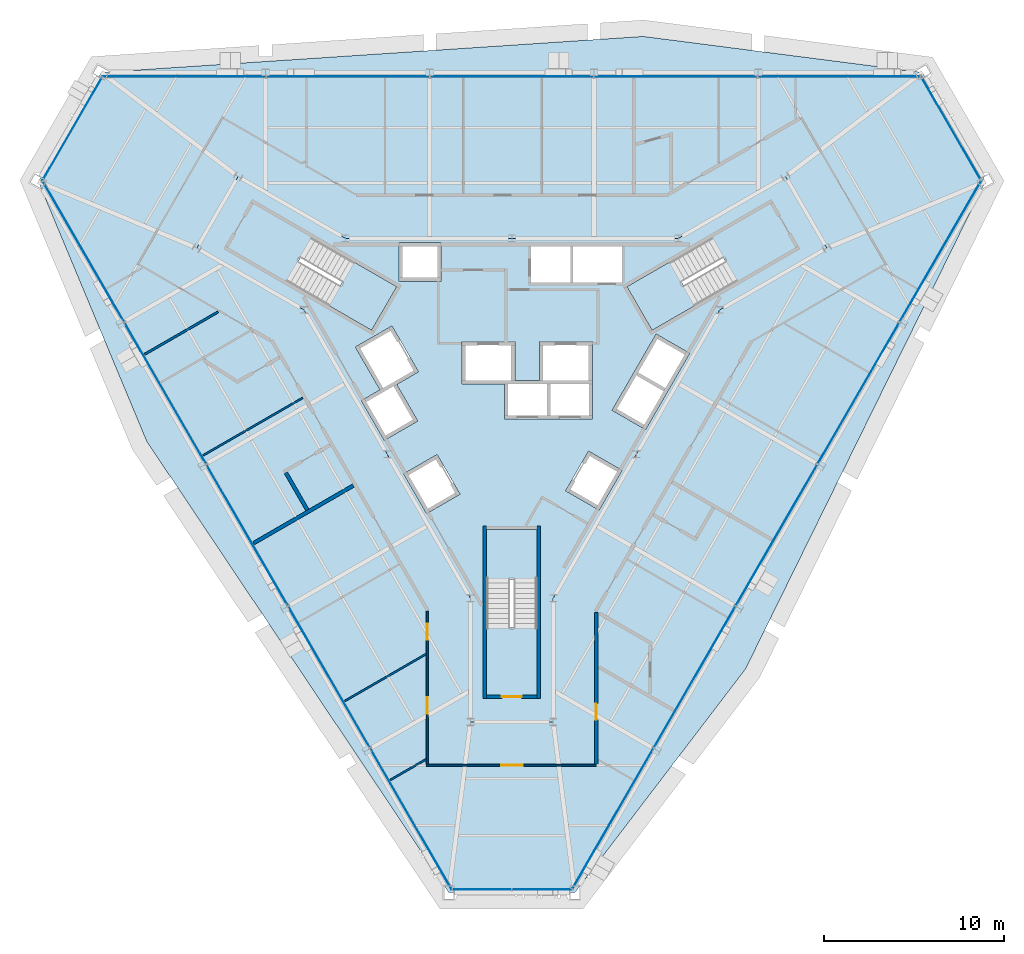
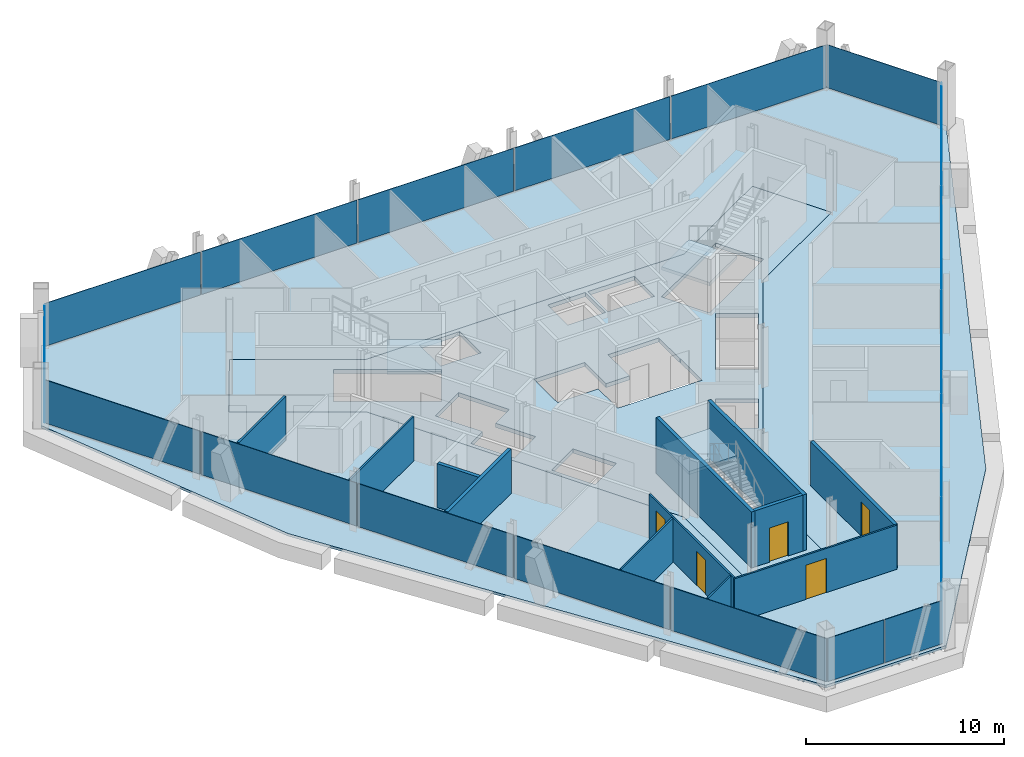
# One storey, part 9 of 15: 19 plates, 12 walls, 5 doors, 5 slabs, 5 openings, 9 elements without a shape of their own.
"""IFC4 building model written with IfcOpenShell, lengths in metres."""

import ifcopenshell
import ifcopenshell.guid

model = None  # the IFC model being written
_history = None  # IfcOwnerHistory: only IFC2X3 demands one
_inside = {}  # id of a spatial element -> (the spatial element, [elements in it])
_under = {}  # id of a project, library or spatial element -> (it, [spatial elements below it])
_declared = {}  # id of a project -> (the project, [libraries it declares])
_typed = {}  # id of a type object -> (the type object, [elements of that type])
_made_of = {}  # id of a material, layer set ... -> (it, [elements and type objects made of it])


def new_model(schema):
    """Start an empty IFC model of exactly this schema.

    Asked for "IFC4X3", IfcOpenShell would pick the latest addendum, in which some entities
    have other attributes; the version numbers below select the first issue.
    IFC2X3 requires an IfcOwnerHistory on every rooted entity: one is made here for all.
    """
    global model, _history
    if schema == "IFC4X3":
        model = ifcopenshell.file(schema_version=(4, 3, 0, 0))
    else:
        model = ifcopenshell.file(schema=schema)
    _inside.clear()
    _under.clear()
    _declared.clear()
    _typed.clear()
    _made_of.clear()
    _history = None
    if model.schema == "IFC2X3":
        org = make("IfcOrganization", Name="unknown")
        user = make(
            "IfcPersonAndOrganization",
            ThePerson=make("IfcPerson", FamilyName="unknown"),
            TheOrganization=org,
        )
        app = make(
            "IfcApplication",
            ApplicationDeveloper=org,
            Version="unknown",
            ApplicationFullName="unknown",
            ApplicationIdentifier="unknown",
        )
        _history = make(
            "IfcOwnerHistory",
            OwningUser=user,
            OwningApplication=app,
            ChangeAction="ADDED",
            CreationDate=0,
        )
    return model


def make(cls, **values):
    """One entity of the class cls with the attributes given. An attribute that is None is left unset."""
    return model.create_entity(
        cls, **{name: value for name, value in values.items() if value is not None}
    )


def rooted(cls, **values):
    """An entity with a GlobalId (a new one), such as an element, a storey or a relation."""
    return make(cls, GlobalId=ifcopenshell.guid.new(), OwnerHistory=_history, **values)


def si_unit(unit_type, name, prefix=None):
    """IfcSIUnit, for example si_unit("LENGTHUNIT", "METRE", prefix="MILLI")."""
    return make("IfcSIUnit", UnitType=unit_type, Prefix=prefix, Name=name)


def assignment(units):
    """IfcUnitAssignment: the units of a project."""
    return None if units is None else make("IfcUnitAssignment", Units=units)


def point(xyz):
    """IfcCartesianPoint."""
    return None if xyz is None else make("IfcCartesianPoint", Coordinates=xyz)


def direction(xyz):
    """IfcDirection."""
    return None if xyz is None else make("IfcDirection", DirectionRatios=xyz)


def frame(location, z_axis=None, x_axis=None):
    """IfcAxis2Placement3D, a coordinate frame: its origin and axes. An axis left out is left unset."""
    return make(
        "IfcAxis2Placement3D",
        Location=point(location),
        Axis=direction(z_axis),
        RefDirection=direction(x_axis),
    )


def frame_2d(location, x_axis=None):
    """IfcAxis2Placement2D, a coordinate frame in the plane: its origin and x axis."""
    return make(
        "IfcAxis2Placement2D", Location=point(location), RefDirection=direction(x_axis)
    )


def origin():
    """The frame at (0, 0, 0) with its axes left unset."""
    return frame((0.0, 0.0, 0.0))


def origin_2d():
    """The frame at (0, 0) in the plane with its x axis left unset."""
    return frame_2d((0.0, 0.0))


def place(relative_to, where):
    """IfcLocalPlacement: puts the frame where relative to a parent placement (None: the world)."""
    return make(
        "IfcLocalPlacement", PlacementRelTo=relative_to, RelativePlacement=where
    )


def context(
    kind, dimensions, precision=None, world=None, true_north=None, identifier=None
):
    """IfcGeometricRepresentationContext, for example the 3D "Model" context."""
    return make(
        "IfcGeometricRepresentationContext",
        ContextIdentifier=identifier,
        ContextType=kind,
        CoordinateSpaceDimension=dimensions,
        Precision=precision,
        WorldCoordinateSystem=world,
        TrueNorth=true_north,
    )


def subcontext(parent, identifier, kind, view, scale=None):
    """IfcGeometricRepresentationSubContext, for example "Body" below "Model"."""
    return make(
        "IfcGeometricRepresentationSubContext",
        ContextIdentifier=identifier,
        ContextType=kind,
        ParentContext=parent,
        TargetScale=scale,
        TargetView=view,
    )


def project(units=None, contexts=None):
    """IfcProject with its units and contexts."""
    return rooted(
        "IfcProject",
        Name="project",
        RepresentationContexts=contexts,
        UnitsInContext=assignment(units),
    )


def spatial(cls, under=None, at=None, **own):
    """A site, building, storey or space (cls), placed at a placement, below another one or the project."""
    s = rooted(cls, ObjectPlacement=at, **own)
    if under is not None:
        _under.setdefault(under.id(), (under, []))[1].append(s)
    return s


def polyline(points):
    """IfcPolyline through the points."""
    return make("IfcPolyline", Points=[point(p) for p in points])


def profile(cls, at=None, kind="AREA", **sizes):
    """A parametric profile (cls). Its sizes go by their IFC names, for example OverallWidth=200.0."""
    return make(cls, ProfileType=kind, Position=at, **sizes)


def rectangle(**sizes):
    """IfcRectangleProfileDef."""
    return profile("IfcRectangleProfileDef", **sizes)


def outline(outer, holes=None, kind="AREA"):
    """IfcArbitraryClosedProfileDef: a profile drawn as a closed curve; with holes, ...WithVoids."""
    if holes is None:
        return make("IfcArbitraryClosedProfileDef", ProfileType=kind, OuterCurve=outer)
    return make(
        "IfcArbitraryProfileDefWithVoids",
        ProfileType=kind,
        OuterCurve=outer,
        InnerCurves=holes,
    )


def extrude(swept, where, along, depth):
    """IfcExtrudedAreaSolid: the profile swept, set in the frame where, extruded along a direction by depth."""
    return make(
        "IfcExtrudedAreaSolid",
        SweptArea=swept,
        Position=where,
        ExtrudedDirection=direction(along),
        Depth=depth,
    )


def shape(context_of_items, identifier, shape_type, items):
    """IfcShapeRepresentation: the items that make up one representation, for example the "Body"."""
    return make(
        "IfcShapeRepresentation",
        ContextOfItems=context_of_items,
        RepresentationIdentifier=identifier,
        RepresentationType=shape_type,
        Items=items,
    )


def material(Name=None, Category=None):
    """IfcMaterial."""
    return make("IfcMaterial", Name=Name, Category=Category)


def layer(
    of_material, thickness, ventilated=None, Name=None, Category=None, Priority=None
):
    """IfcMaterialLayer: one layer of a wall or slab, of a material (None: an air gap)."""
    return make(
        "IfcMaterialLayer",
        Material=of_material,
        LayerThickness=thickness,
        IsVentilated=ventilated,
        Name=Name,
        Category=Category,
        Priority=Priority,
    )


def layer_set(layers, Name=None):
    """IfcMaterialLayerSet."""
    return make("IfcMaterialLayerSet", MaterialLayers=layers, LayerSetName=Name)


def made_of(thing, what):
    """Note that an element or type object is made of a material, layer set ...; save() writes the relation."""
    if what is not None:
        _made_of.setdefault(what.id(), (what, []))[1].append(thing)
    return thing


def type_object(cls, material=None, **own):
    """A type object (cls), such as IfcWallType, which elements share."""
    return made_of(rooted(cls, **own), material)


def element(
    cls,
    number,
    at=None,
    inside=None,
    cuts=None,
    type_object=None,
    material=None,
    context=None,
    identifier="Body",
    shape_type=None,
    held_by="IfcProductDefinitionShape",
    body=None,
    shapes=None,
    **own,
):
    """One element of the class cls, such as IfcWall. Its Tag is "e" and its number.

    at: its placement. inside: the storey or other place that contains it. cuts: it is an
    opening in that element (IfcRelVoidsElement). A single representation is given by context,
    identifier, shape_type and body (its items); several are given by shapes. held_by: the class
    of the entity that holds the representations. save() writes the other relations.
    """
    e = rooted(cls, Tag="e%d" % number, ObjectPlacement=at, **own)
    if body is not None:
        shapes = [shape(context, identifier, shape_type, body)]
    if shapes is not None:
        e.Representation = make(held_by, Representations=shapes)
    if inside is not None:
        _inside.setdefault(inside.id(), (inside, []))[1].append(e)
    if cuts is not None:
        rooted(
            "IfcRelVoidsElement", RelatingBuildingElement=cuts, RelatedOpeningElement=e
        )
    if type_object is not None:
        _typed.setdefault(type_object.id(), (type_object, []))[1].append(e)
    return made_of(e, material)


def fill(opening, filler):
    """IfcRelFillsElement: the door or window that sits in an opening."""
    return rooted(
        "IfcRelFillsElement",
        RelatingOpeningElement=opening,
        RelatedBuildingElement=filler,
    )


def aggregate(whole, parts):
    """IfcRelAggregates: a whole, such as a stair, and the parts it consists of."""
    return rooted("IfcRelAggregates", RelatingObject=whole, RelatedObjects=parts)


def save(model, path):
    """Write the relations noted so far, then the file.

    IfcRelAggregates (storeys below a building ...), IfcRelContainedInSpatialStructure (elements
    in a storey), IfcRelDefinesByType, IfcRelAssociatesMaterial and IfcRelDeclares: one each for
    every whole, place, type object, material and project.
    """
    for whole, parts in _under.values():
        aggregate(whole, parts)
    for where, things in _inside.values():
        rooted(
            "IfcRelContainedInSpatialStructure",
            RelatedElements=things,
            RelatingStructure=where,
        )
    for kind, things in _typed.values():
        rooted("IfcRelDefinesByType", RelatedObjects=things, RelatingType=kind)
    for what, things in _made_of.values():
        rooted("IfcRelAssociatesMaterial", RelatedObjects=things, RelatingMaterial=what)
    for by, libraries in _declared.values():
        rooted("IfcRelDeclares", RelatingContext=by, RelatedDefinitions=libraries)
    model.write(path)


model = new_model("IFC4")

# Units and contexts
model_context = context("Model", 3, precision=1e-05, world=origin(), true_north=direction((0.0, 1.0)))
body_context = subcontext(model_context, "Body", "Model", "MODEL_VIEW")
ifc_project = project(units=[si_unit("LENGTHUNIT", "METRE"), si_unit("AREAUNIT", "SQUARE_METRE"), si_unit("VOLUMEUNIT", "CUBIC_METRE"), si_unit("PLANEANGLEUNIT", "RADIAN"), si_unit("MASSUNIT", "GRAM", prefix="KILO")], contexts=[model_context])

# Site, building, storey
site_placement = place(None, origin())
site = spatial("IfcSite", under=ifc_project, at=site_placement, CompositionType="ELEMENT")
building_placement = place(site_placement, origin())
building = spatial("IfcBuilding", under=site, at=building_placement, Name="Verrane Prism Tower", CompositionType="ELEMENT")
storey_placement = place(building_placement, frame((0.0, 0.0, 250.800048828125)))
storey = spatial("IfcBuildingStorey", under=building, at=storey_placement, Name="L63", CompositionType="ELEMENT", Elevation=250.800048828125)

# Slabs
ifc_material_1 = material(Name="Concrete C35/45", Category="concrete")
ifc_layer_1 = layer(ifc_material_1, 0.159912109375)
ifc_layer_set_1 = layer_set([ifc_layer_1], Name="Composite floor slab")
slab_type_1 = type_object("IfcSlabType", Name="Composite floor slab", PredefinedType="FLOOR", material=ifc_layer_set_1)
slab_1_placement = place(storey_placement, frame((0.0, 0.0, -0.16015625)))
element("IfcSlab", 1, at=slab_1_placement, inside=storey, type_object=slab_type_1, Name="Floor slab L63", PredefinedType="FLOOR", context=body_context, shape_type="SweptSolid", body=[
    extrude(outline(polyline([(12.999755859375, -15.94384765625), (3.5029296875, -28.392578125), (-3.5029296875, -28.392578125), (-20.3076171875, -3.2861328125), (-26.340087890625, 11.16259765625), (-22.837158203125, 17.22998046875), (7.307861328125, 19.22998046875), (22.837158203125, 17.22998046875), (26.340087890625, 11.16259765625), (12.999755859375, -15.94384765625)]), holes=[polyline([(17.52001953125, 7.4599609375), (15.219970703125, 11.43994140625), (9.260009765625, 8.0), (0.0, 8.0), (-9.260009765625, 8.0), (-15.219970703125, 11.43994140625), (-17.52001953125, 7.4599609375), (-11.56005859375, 4.02001953125), (-6.929931640625, -4.0), (-2.300048828125, -12.02001953125), (-2.300048828125, -18.89990234375), (2.300048828125, -18.89990234375), (2.300048828125, -12.02001953125), (6.929931640625, -4.0), (11.56005859375, 4.02001953125), (17.52001953125, 7.4599609375)])]), origin(), (0.0, 0.0, 1.0), 0.16015625),
])
ifc_material_2 = material(Name="Concrete C40/50", Category="concrete")
ifc_layer_2 = layer(ifc_material_2, 0.25)
ifc_layer_set_2 = layer_set([ifc_layer_2], Name="Core floor slab 250 concrete C40/50")
slab_type_2 = type_object("IfcSlabType", Name="Core floor slab 250 concrete C40/50", PredefinedType="FLOOR", material=ifc_layer_set_2)
slab_2_placement = place(storey_placement, frame((0.0, 0.0, -0.25)))
element("IfcSlab", 2, at=slab_2_placement, inside=storey, type_object=slab_type_2, Name="Core floor L63", PredefinedType="FLOOR", context=body_context, shape_type="SweptSolid", body=[
    extrude(outline(polyline([(11.56005859375, 4.02001953125), (17.52001953125, 7.4599609375), (15.219970703125, 11.43994140625), (9.260009765625, 8.0), (0.0, 8.0), (-9.260009765625, 8.0), (-15.219970703125, 11.43994140625), (-17.52001953125, 7.4599609375), (-11.56005859375, 4.02001953125), (-6.929931640625, -4.0), (-2.300048828125, -12.02001953125), (-2.300048828125, -18.89990234375), (2.300048828125, -18.89990234375), (2.300048828125, -12.02001953125), (6.929931640625, -4.0), (11.56005859375, 4.02001953125)]), holes=[polyline([(1.39990234375, -8.199951171875), (1.39990234375, -13.639892578125), (-1.39990234375, -13.639892578125), (-1.39990234375, -8.199951171875), (1.39990234375, -8.199951171875)]), polyline([(-2.881103515625, -6.22998046875), (-4.742919921875, -7.304931640625), (-6.01806640625, -5.096923828125), (-4.156005859375, -4.02197265625), (-2.881103515625, -6.22998046875)]), polyline([(-7.801025390625, 2.887939453125), (-12.512939453125, 5.60791015625), (-11.113037109375, 8.031982421875), (-6.40087890625, 5.31201171875), (-7.801025390625, 2.887939453125)]), polyline([(-6.284912109375, 5.610107421875), (-6.284912109375, 7.760009765625), (-3.93505859375, 7.760009765625), (-3.93505859375, 5.610107421875), (-6.284912109375, 5.610107421875)]), polyline([(4.26611328125, -3.8310546875), (6.1279296875, -4.906005859375), (4.85302734375, -7.114990234375), (2.990966796875, -6.0400390625), (4.26611328125, -3.8310546875)]), polyline([(7.43798828125, -2.636962890625), (5.575927734375, -1.56201171875), (8.02587890625, 2.680908203125), (9.887939453125, 1.60595703125), (7.43798828125, -2.636962890625)]), polyline([(0.1650390625, 0.10009765625), (1.52490234375, 0.10009765625), (1.52490234375, 2.25), (4.47509765625, 2.25), (4.47509765625, 0.10009765625), (4.4951171875, 0.10009765625), (4.4951171875, -2.050048828125), (-0.405029296875, -2.050048828125), (-0.405029296875, -0.10009765625), (-2.784912109375, -0.10009765625), (-2.784912109375, 2.25), (0.1650390625, 2.25), (0.1650390625, 0.10009765625)]), polyline([(6.40087890625, 5.31201171875), (11.113037109375, 8.031982421875), (12.512939453125, 5.60791015625), (7.801025390625, 2.887939453125), (6.40087890625, 5.31201171875)]), polyline([(1.074951171875, 5.534912109375), (1.074951171875, 7.56005859375), (3.264892578125, 7.56005859375), (3.264892578125, 5.534912109375), (1.074951171875, 5.534912109375)]), polyline([(3.4150390625, 7.56005859375), (6.125, 7.56005859375), (6.125, 5.534912109375), (3.4150390625, 5.534912109375), (3.4150390625, 7.56005859375)]), polyline([(-5.23095703125, -2.159912109375), (-7.093017578125, -3.235107421875), (-8.367919921875, -1.02587890625), (-7.3291015625, -0.426025390625), (-8.7041015625, 1.955078125), (-6.66796875, 3.1298828125), (-5.193115234375, 0.574951171875), (-6.406005859375, -0.125), (-5.23095703125, -2.159912109375)])]), origin(), (0.0, 0.0, 1.0), 0.25),
])

# Curtain wall, plates
ifc_material_3 = material(Name="Aluminium framed insulated glazing", Category="aluminium")
curtain_wall_type_1 = type_object("IfcCurtainWallType", Name="Curtain wall CW-C 4200 module", PredefinedType="NOTDEFINED", material=ifc_material_3)
curtain_wall_1_placement = place(storey_placement, origin())
curtain_wall_1 = element("IfcCurtainWall", 3, at=curtain_wall_1_placement, inside=storey, type_object=curtain_wall_type_1, Name="Glazed curtain wall south corner L63", PredefinedType="NOTDEFINED")
ifc_material_4 = material(Name="Low-iron insulating glass unit", Category="glass")
ifc_layer_3 = layer(ifc_material_4, 0.02392578125)
ifc_layer_set_3 = layer_set([ifc_layer_3], Name="Glazing panel IGU 24")
plate_type_1 = type_object("IfcPlateType", Name="Glazing panel IGU 24", PredefinedType="CURTAIN_PANEL", material=ifc_layer_set_3)
plate_1_placement = place(storey_placement, frame((-1.658447265625, -28.215087890625, 0.0498046875), z_axis=(0.0, 0.0, 1.0), x_axis=(1.0, 0.0, 0.0)))
plate_1 = element("IfcPlate", 4, at=plate_1_placement, type_object=plate_type_1, Name="CW62.5 panel 1", PredefinedType="CURTAIN_PANEL", context=body_context, shape_type="SweptSolid", body=[
    extrude(rectangle(XDim=3.266845703125, YDim=0.02392578125, at=origin_2d()), origin(), (0.0, 0.0, 1.0), 2.662841796875),
])
plate_2_placement = place(storey_placement, frame((1.683349609375, -28.215087890625, 0.0498046875), z_axis=(0.0, 0.0, 1.0), x_axis=(1.0, 0.0, 0.0)))
plate_2 = element("IfcPlate", 5, at=plate_2_placement, type_object=plate_type_1, Name="CW62.5 panel 2", PredefinedType="CURTAIN_PANEL", context=body_context, shape_type="SweptSolid", body=[
    extrude(rectangle(XDim=3.31689453125, YDim=0.02392578125, at=origin_2d()), origin(), (0.0, 0.0, 1.0), 2.662841796875),
])
aggregate(curtain_wall_1, [plate_1, plate_2])

# Curtain wall, plate
ifc_material_5 = material(Name="Aluminium framed insulated glazing", Category="aluminium")
curtain_wall_type_2 = type_object("IfcCurtainWallType", Name="Curtain wall CW-B 5600 module", PredefinedType="NOTDEFINED", material=ifc_material_5)
curtain_wall_2_placement = place(storey_placement, origin())
curtain_wall_2 = element("IfcCurtainWall", 6, at=curtain_wall_2_placement, inside=storey, type_object=curtain_wall_type_2, Name="Glazed curtain wall north-west corner L63", PredefinedType="NOTDEFINED")
ifc_material_6 = material(Name="Low-iron insulating glass unit", Category="glass")
ifc_layer_4 = layer(ifc_material_6, 0.028076171875)
ifc_layer_set_4 = layer_set([ifc_layer_4], Name="Glazing panel IGU 28")
plate_type_2 = type_object("IfcPlateType", Name="Glazing panel IGU 28", PredefinedType="CURTAIN_PANEL", material=ifc_layer_set_4)
plate_3_placement = place(storey_placement, frame((-24.449951171875, 14.08154296875, 0.06005859375), z_axis=(0.0, 0.0, 1.0), x_axis=(-0.49999615137, -0.866027625781, 0.0)))
plate_3 = element("IfcPlate", 7, at=plate_3_placement, type_object=plate_type_2, Name="CW62.3 panel 1", PredefinedType="CURTAIN_PANEL", context=body_context, shape_type="SweptSolid", body=[
    extrude(rectangle(XDim=6.623779296875, YDim=0.028076171875, at=origin_2d()), origin(), (0.0, 0.0, 1.0), 2.65283203125),
])
aggregate(curtain_wall_2, [plate_3])

ifc_material_7 = material(Name="Aluminium framed insulated glazing", Category="aluminium")
curtain_wall_type_3 = type_object("IfcCurtainWallType", Name="Curtain wall CW-A 8400 module", PredefinedType="NOTDEFINED", material=ifc_material_7)
curtain_wall_3_placement = place(storey_placement, origin())
curtain_wall_3 = element("IfcCurtainWall", 8, at=curtain_wall_3_placement, inside=storey, type_object=curtain_wall_type_3, Name="Glazed curtain wall north-east corner L63", PredefinedType="NOTDEFINED")
ifc_material_8 = material(Name="Low-iron insulating glass unit", Category="glass")
ifc_layer_5 = layer(ifc_material_8, 0.031982421875)
ifc_layer_set_5 = layer_set([ifc_layer_5], Name="Glazing panel IGU 32")
plate_type_3 = type_object("IfcPlateType", Name="Glazing panel IGU 32", PredefinedType="CURTAIN_PANEL", material=ifc_layer_set_5)
plate_4_placement = place(storey_placement, frame((24.41748046875, 14.137939453125, 0.06982421875), z_axis=(0.0, 0.0, 1.0), x_axis=(-0.49999615137, 0.866027625781, 0.0)))
plate_4 = element("IfcPlate", 9, at=plate_4_placement, type_object=plate_type_3, Name="CW62.1 panel 1", PredefinedType="CURTAIN_PANEL", context=body_context, shape_type="SweptSolid", body=[
    extrude(rectangle(XDim=6.61376953125, YDim=0.031982421875, at=origin_2d()), origin(), (0.0, 0.0, 1.0), 2.642822265625),
])
aggregate(curtain_wall_3, [plate_4])

# Curtain wall, plates
curtain_wall_4_placement = place(storey_placement, origin())
curtain_wall_4 = element("IfcCurtainWall", 10, at=curtain_wall_4_placement, inside=storey, type_object=curtain_wall_type_3, Name="Glazed curtain wall north face L63", PredefinedType="NOTDEFINED")
plate_5_placement = place(storey_placement, frame((18.19384765625, 17.001708984375, 0.06982421875), z_axis=(0.0, 0.0, 1.0), x_axis=(-1.0, 0.0, 0.0)))
plate_5 = element("IfcPlate", 11, at=plate_5_placement, type_object=plate_type_3, Name="CW62.2 panel 1", PredefinedType="CURTAIN_PANEL", context=body_context, shape_type="SweptSolid", body=[
    extrude(rectangle(XDim=9.000732421875, YDim=0.031982421875, at=origin_2d()), origin(), (0.0, 0.0, 1.0), 2.642822265625),
])
plate_6_placement = place(storey_placement, frame((9.105712890625, 17.001708984375, 0.06982421875), z_axis=(0.0, 0.0, 1.0), x_axis=(-1.0, 0.0, 0.0)))
plate_6 = element("IfcPlate", 12, at=plate_6_placement, type_object=plate_type_3, Name="CW62.2 panel 2", PredefinedType="CURTAIN_PANEL", context=body_context, shape_type="SweptSolid", body=[
    extrude(rectangle(XDim=9.03564453125, YDim=0.031982421875, at=origin_2d()), origin(), (0.0, 0.0, 1.0), 2.642822265625),
])
plate_7_placement = place(storey_placement, frame((0.0, 17.001708984375, 0.06982421875), z_axis=(0.0, 0.0, 1.0), x_axis=(-1.0, 0.0, 0.0)))
plate_7 = element("IfcPlate", 13, at=plate_7_placement, type_object=plate_type_3, Name="CW62.2 panel 3", PredefinedType="CURTAIN_PANEL", context=body_context, shape_type="SweptSolid", body=[
    extrude(rectangle(XDim=9.03564453125, YDim=0.031982421875, at=origin_2d()), origin(), (0.0, 0.0, 1.0), 2.642822265625),
])
plate_8_placement = place(storey_placement, frame((-9.105712890625, 17.001708984375, 0.06982421875), z_axis=(0.0, 0.0, 1.0), x_axis=(-1.0, 0.0, 0.0)))
plate_8 = element("IfcPlate", 14, at=plate_8_placement, type_object=plate_type_3, Name="CW62.2 panel 4", PredefinedType="CURTAIN_PANEL", context=body_context, shape_type="SweptSolid", body=[
    extrude(rectangle(XDim=9.03564453125, YDim=0.031982421875, at=origin_2d()), origin(), (0.0, 0.0, 1.0), 2.642822265625),
])
plate_9_placement = place(storey_placement, frame((-18.228759765625, 17.001708984375, 0.06982421875), z_axis=(0.0, 0.0, 1.0), x_axis=(-1.0, 0.0, 0.0)))
plate_9 = element("IfcPlate", 15, at=plate_9_placement, type_object=plate_type_3, Name="CW62.2 panel 5", PredefinedType="CURTAIN_PANEL", context=body_context, shape_type="SweptSolid", body=[
    extrude(rectangle(XDim=9.070556640625, YDim=0.031982421875, at=origin_2d()), origin(), (0.0, 0.0, 1.0), 2.642822265625),
])
aggregate(curtain_wall_4, [plate_5, plate_6, plate_7, plate_8, plate_9])

curtain_wall_5_placement = place(storey_placement, origin())
curtain_wall_5 = element("IfcCurtainWall", 16, at=curtain_wall_5_placement, inside=storey, type_object=curtain_wall_type_3, Name="Glazed curtain wall south-west face L63", PredefinedType="NOTDEFINED")
plate_10_placement = place(storey_placement, frame((-23.82080078125, 7.25537109375, 0.06982421875), z_axis=(0.0, 0.0, 1.0), x_axis=(0.499999788753, -0.866025525748, 0.0)))
plate_10 = element("IfcPlate", 17, at=plate_10_placement, type_object=plate_type_3, Name="CW62.4 panel 1", PredefinedType="CURTAIN_PANEL", context=body_context, shape_type="SweptSolid", body=[
    extrude(rectangle(XDim=9.000732421875, YDim=0.031982421875, at=origin_2d()), origin(), (0.0, 0.0, 1.0), 2.642822265625),
])
plate_11_placement = place(storey_placement, frame((-19.27685546875, -0.615234375, 0.06982421875), z_axis=(0.0, 0.0, 1.0), x_axis=(0.499999788753, -0.866025525748, 0.0)))
plate_11 = element("IfcPlate", 18, at=plate_11_placement, type_object=plate_type_3, Name="CW62.4 panel 2", PredefinedType="CURTAIN_PANEL", context=body_context, shape_type="SweptSolid", body=[
    extrude(rectangle(XDim=9.03564453125, YDim=0.031982421875, at=origin_2d()), origin(), (0.0, 0.0, 1.0), 2.642822265625),
])
plate_12_placement = place(storey_placement, frame((-14.723876953125, -8.5009765625, 0.06982421875), z_axis=(0.0, 0.0, 1.0), x_axis=(0.499999788753, -0.866025525748, 0.0)))
plate_12 = element("IfcPlate", 19, at=plate_12_placement, type_object=plate_type_3, Name="CW62.4 panel 3", PredefinedType="CURTAIN_PANEL", context=body_context, shape_type="SweptSolid", body=[
    extrude(rectangle(XDim=9.03564453125, YDim=0.031982421875, at=origin_2d()), origin(), (0.0, 0.0, 1.0), 2.642822265625),
])
plate_13_placement = place(storey_placement, frame((-10.171142578125, -16.38671875, 0.06982421875), z_axis=(0.0, 0.0, 1.0), x_axis=(0.499999788753, -0.866025525748, 0.0)))
plate_13 = element("IfcPlate", 20, at=plate_13_placement, type_object=plate_type_3, Name="CW62.4 panel 4", PredefinedType="CURTAIN_PANEL", context=body_context, shape_type="SweptSolid", body=[
    extrude(rectangle(XDim=9.03564453125, YDim=0.031982421875, at=origin_2d()), origin(), (0.0, 0.0, 1.0), 2.642822265625),
])
plate_14_placement = place(storey_placement, frame((-5.609619140625, -24.28759765625, 0.06982421875), z_axis=(0.0, 0.0, 1.0), x_axis=(0.499999788753, -0.866025525748, 0.0)))
plate_14 = element("IfcPlate", 21, at=plate_14_placement, type_object=plate_type_3, Name="CW62.4 panel 5", PredefinedType="CURTAIN_PANEL", context=body_context, shape_type="SweptSolid", body=[
    extrude(rectangle(XDim=9.070556640625, YDim=0.031982421875, at=origin_2d()), origin(), (0.0, 0.0, 1.0), 2.642822265625),
])
aggregate(curtain_wall_5, [plate_10, plate_11, plate_12, plate_13, plate_14])

curtain_wall_6_placement = place(storey_placement, origin())
curtain_wall_6 = element("IfcCurtainWall", 22, at=curtain_wall_6_placement, inside=storey, type_object=curtain_wall_type_3, Name="Glazed curtain wall south-east face L63", PredefinedType="NOTDEFINED")
plate_15_placement = place(storey_placement, frame((5.626953125, -24.257080078125, 0.06982421875), z_axis=(0.0, 0.0, 1.0), x_axis=(0.499999788753, 0.866025525748, 0.0)))
plate_15 = element("IfcPlate", 23, at=plate_15_placement, type_object=plate_type_3, Name="CW62.6 panel 1", PredefinedType="CURTAIN_PANEL", context=body_context, shape_type="SweptSolid", body=[
    extrude(rectangle(XDim=9.000732421875, YDim=0.031982421875, at=origin_2d()), origin(), (0.0, 0.0, 1.0), 2.642822265625),
])
plate_16_placement = place(storey_placement, frame((10.171142578125, -16.38671875, 0.06982421875), z_axis=(0.0, 0.0, 1.0), x_axis=(0.499999788753, 0.866025525748, 0.0)))
plate_16 = element("IfcPlate", 24, at=plate_16_placement, type_object=plate_type_3, Name="CW62.6 panel 2", PredefinedType="CURTAIN_PANEL", context=body_context, shape_type="SweptSolid", body=[
    extrude(rectangle(XDim=9.03564453125, YDim=0.031982421875, at=origin_2d()), origin(), (0.0, 0.0, 1.0), 2.642822265625),
])
plate_17_placement = place(storey_placement, frame((14.723876953125, -8.5009765625, 0.06982421875), z_axis=(0.0, 0.0, 1.0), x_axis=(0.499999788753, 0.866025525748, 0.0)))
plate_17 = element("IfcPlate", 25, at=plate_17_placement, type_object=plate_type_3, Name="CW62.6 panel 3", PredefinedType="CURTAIN_PANEL", context=body_context, shape_type="SweptSolid", body=[
    extrude(rectangle(XDim=9.03564453125, YDim=0.031982421875, at=origin_2d()), origin(), (0.0, 0.0, 1.0), 2.642822265625),
])
plate_18_placement = place(storey_placement, frame((19.27685546875, -0.615234375, 0.06982421875), z_axis=(0.0, 0.0, 1.0), x_axis=(0.499999788753, 0.866025525748, 0.0)))
plate_18 = element("IfcPlate", 26, at=plate_18_placement, type_object=plate_type_3, Name="CW62.6 panel 4", PredefinedType="CURTAIN_PANEL", context=body_context, shape_type="SweptSolid", body=[
    extrude(rectangle(XDim=9.03564453125, YDim=0.031982421875, at=origin_2d()), origin(), (0.0, 0.0, 1.0), 2.642822265625),
])
plate_19_placement = place(storey_placement, frame((23.83837890625, 7.28564453125, 0.06982421875), z_axis=(0.0, 0.0, 1.0), x_axis=(0.499999788753, 0.866025525748, 0.0)))
plate_19 = element("IfcPlate", 27, at=plate_19_placement, type_object=plate_type_3, Name="CW62.6 panel 5", PredefinedType="CURTAIN_PANEL", context=body_context, shape_type="SweptSolid", body=[
    extrude(rectangle(XDim=9.070556640625, YDim=0.031982421875, at=origin_2d()), origin(), (0.0, 0.0, 1.0), 2.642822265625),
])
aggregate(curtain_wall_6, [plate_15, plate_16, plate_17, plate_18, plate_19])

# Stair, slab
ifc_material_9 = material(Name="Concrete C40/50", Category="concrete")
stair_type = type_object("IfcStairType", Name="Exit stair 1300 dog-leg precast concrete C40/50", PredefinedType="HALF_TURN_STAIR", material=ifc_material_9)
stair_1_placement = place(storey_placement, origin())
stair_1 = element("IfcStair", 28, at=stair_1_placement, inside=storey, type_object=stair_type, Name="Stair 1 L63", PredefinedType="HALF_TURN_STAIR")
ifc_material_10 = material(Name="Concrete C40/50", Category="concrete")
ifc_layer_6 = layer(ifc_material_10, 0.199951171875)
ifc_layer_set_6 = layer_set([ifc_layer_6], Name="Stair landing 200 precast concrete C40/50")
slab_type_3 = type_object("IfcSlabType", Name="Stair landing 200 precast concrete C40/50", PredefinedType="LANDING", material=ifc_layer_set_6)
slab_3_placement = place(storey_placement, frame((0.0, 0.0, 1.64990234375)))
slab_3 = element("IfcSlab", 29, at=slab_3_placement, type_object=slab_type_3, Name="Stair 1 landing 1", PredefinedType="LANDING", context=body_context, shape_type="SweptSolid", body=[
    extrude(outline(polyline([(8.791748046875, 6.6923828125), (6.4013671875, 5.3125), (7.801513671875, 2.887451171875), (10.191650390625, 4.267578125), (8.791748046875, 6.6923828125)])), origin(), (0.0, 0.0, 1.0), 0.199951171875),
])
aggregate(stair_1, [slab_3])

stair_2_placement = place(storey_placement, origin())
stair_2 = element("IfcStair", 30, at=stair_2_placement, inside=storey, type_object=stair_type, Name="Stair 2 L63", PredefinedType="HALF_TURN_STAIR")
slab_4_placement = place(storey_placement, frame((0.0, 0.0, 1.64990234375)))
slab_4 = element("IfcSlab", 31, at=slab_4_placement, type_object=slab_type_3, Name="Stair 2 landing 1", PredefinedType="LANDING", context=body_context, shape_type="SweptSolid", body=[
    extrude(outline(polyline([(-10.191650390625, 4.267578125), (-7.801513671875, 2.887451171875), (-6.4013671875, 5.3125), (-8.791748046875, 6.6923828125), (-10.191650390625, 4.267578125)])), origin(), (0.0, 0.0, 1.0), 0.199951171875),
])
aggregate(stair_2, [slab_4])

stair_3_placement = place(storey_placement, origin())
stair_3 = element("IfcStair", 32, at=stair_3_placement, inside=storey, type_object=stair_type, Name="Stair 3 L63", PredefinedType="HALF_TURN_STAIR")
slab_5_placement = place(storey_placement, frame((0.0, 0.0, 1.64990234375)))
slab_5 = element("IfcSlab", 33, at=slab_5_placement, type_object=slab_type_3, Name="Stair 3 landing 1", PredefinedType="LANDING", context=body_context, shape_type="SweptSolid", body=[
    extrude(outline(polyline([(1.39990234375, -10.9599609375), (1.39990234375, -8.199951171875), (-1.39990234375, -8.199951171875), (-1.39990234375, -10.9599609375), (1.39990234375, -10.9599609375)])), origin(), (0.0, 0.0, 1.0), 0.199951171875),
])
aggregate(stair_3, [slab_5])

# Wall, opening, door
ifc_material_11 = material(Name="Concrete C40/50", Category="concrete")
ifc_layer_7 = layer(ifc_material_11, 0.199951171875)
ifc_layer_set_7 = layer_set([ifc_layer_7], Name="CW-200 stair core wall concrete C40/50 3 h")
wall_type_1 = type_object("IfcWallType", Name="CW-200 stair core wall concrete C40/50 3 h", PredefinedType="PARTITIONING", material=ifc_layer_set_7)
wall_1_placement = place(storey_placement, frame((-1.39990234375, -17.5, 0.0), z_axis=(0.0, 0.0, 1.0), x_axis=(1.0, 0.0, 0.0)))
wall_1 = element("IfcWall", 34, at=wall_1_placement, inside=storey, type_object=wall_type_1, Name="Stair 3 enclosure wall", PredefinedType="PARTITIONING", context=body_context, shape_type="SweptSolid", body=[
    extrude(rectangle(XDim=2.7998046875, YDim=0.199951171875, at=frame_2d((1.39990234375, 0.0))), origin(), (0.0, 0.0, 1.0), 3.449951171875),
])
opening_1_placement = place(wall_1_placement, frame((0.85009765625, 0.0, 0.0)))
opening_1 = element("IfcOpeningElement", 35, at=opening_1_placement, cuts=wall_1, Name="Opening D62502", PredefinedType="OPENING", context=body_context, shape_type="SweptSolid", body=[
    extrude(rectangle(XDim=1.10009765625, YDim=2.10009765625, at=frame_2d((0.550048828125, 1.050048828125))), frame((0.0, 0.10986328125, 0.0), z_axis=(0.0, -1.0, 0.0), x_axis=(1.0, 0.0, 0.0)), (0.0, 0.0, 1.0), 0.219970703125),
])
ifc_material_12 = material(Name="Timber veneered door leaf", Category="wood")
door_type_1 = type_object("IfcDoorType", Name="DR-1100x2100 FD90 single leaf stair", OperationType="NOTDEFINED", PredefinedType="DOOR", material=ifc_material_12)
door_1_placement = place(opening_1_placement, origin())
door_1 = element("IfcDoor", 36, at=door_1_placement, inside=storey, type_object=door_type_1, Name="Stair 3 door", OperationType="SINGLE_SWING_LEFT", OverallHeight=2.10009765625, OverallWidth=1.10009765625, PredefinedType="DOOR", context=body_context, shape_type="SweptSolid", body=[
    extrude(rectangle(XDim=1.10009765625, YDim=2.10009765625, at=frame_2d((0.550048828125, 1.050048828125))), frame((0.0, 0.02490234375, 0.0), z_axis=(0.0, -1.0, 0.0), x_axis=(1.0, 0.0, 0.0)), (0.0, 0.0, 1.0), 0.050048828125),
])
fill(opening_1, door_1)

# Walls
for number, where, z_axis, x_axis, name in (
    (37, (1.5, -8.0, 0.0), (0.0, 0.0, 1.0), (0.0, -1.0, 0.0), "Stair 3 enclosure wall"),
    (38, (-1.5, -8.0, 0.0), (0.0, 0.0, 1.0), (0.0, -1.0, 0.0), "Stair 3 enclosure wall"),
):
    element("IfcWall", number, at=place(storey_placement, frame(where, z_axis=z_axis, x_axis=x_axis)), inside=storey, type_object=wall_type_1, Name=name, PredefinedType="PARTITIONING", context=body_context, shape_type="SweptSolid", body=[
        extrude(rectangle(XDim=9.60009765625, YDim=0.199951171875, at=frame_2d((4.800048828125, 0.0))), origin(), (0.0, 0.0, 1.0), 3.449951171875),
    ])
ifc_material_13 = material(Name="Gypsum board partition", Category="other")
ifc_layer_8 = layer(ifc_material_13, 0.10009765625)
ifc_layer_set_8 = layer_set([ifc_layer_8], Name="PW-100 room partition")
wall_type_2 = type_object("IfcWallType", Name="PW-100 room partition", PredefinedType="PARTITIONING", material=ifc_layer_set_8)
wall_2_placement = place(storey_placement, frame((-17.1708984375, -4.071044921875, 0.0), z_axis=(0.0, 0.0, 1.0), x_axis=(0.865973383125, 0.500090091603, 0.0)))
element("IfcWall", 39, at=wall_2_placement, inside=storey, type_object=wall_type_2, Name="Room partition 007", PredefinedType="PARTITIONING", context=body_context, shape_type="SweptSolid", body=[
    extrude(rectangle(XDim=6.399658203125, YDim=0.10009765625, at=frame_2d((3.19970703125, 0.0))), origin(), (0.0, 0.0, 1.0), 2.712890625),
])
wall_3_placement = place(storey_placement, frame((-9.2861328125, -17.727294921875, 0.0), z_axis=(0.0, 0.0, 1.0), x_axis=(0.865990461678, 0.50006051662, 0.0)))
element("IfcWall", 40, at=wall_3_placement, inside=storey, type_object=wall_type_2, Name="Room partition 020", PredefinedType="PARTITIONING", context=body_context, shape_type="SweptSolid", body=[
    extrude(rectangle(XDim=5.209228515625, YDim=0.10009765625, at=frame_2d((2.6044921875, 0.0))), origin(), (0.0, 0.0, 1.0), 2.712890625),
])
wall_4_placement = place(storey_placement, frame((-6.751953125, -22.1162109375, 0.0), z_axis=(0.0, 0.0, 1.0), x_axis=(0.866135723987, 0.499808871103, 0.0)))
element("IfcWall", 41, at=wall_4_placement, inside=storey, type_object=wall_type_2, Name="Room partition 023", PredefinedType="PARTITIONING", context=body_context, shape_type="SweptSolid", body=[
    extrude(rectangle(XDim=2.28271484375, YDim=0.10009765625, at=frame_2d((1.141357421875, 0.0))), origin(), (0.0, 0.0, 1.0), 2.712890625),
])

# Wall, openings, doors
wall_5_placement = place(storey_placement, frame((-4.699951171875, -21.25, 0.0), z_axis=(0.0, 0.0, 1.0), x_axis=(0.0, 1.0, 0.0)))
wall_5 = element("IfcWall", 42, at=wall_5_placement, inside=storey, type_object=wall_type_2, Name="Room partition 024", PredefinedType="PARTITIONING", context=body_context, shape_type="SweptSolid", body=[
    extrude(rectangle(XDim=8.501953125, YDim=0.10009765625, at=frame_2d((4.2509765625, 0.0))), origin(), (0.0, 0.0, 1.0), 2.712890625),
])
opening_2_placement = place(wall_5_placement, frame((6.9208984375, 0.0, 0.0)))
opening_2 = element("IfcOpeningElement", 43, at=opening_2_placement, cuts=wall_5, Name="Opening D62024", PredefinedType="OPENING", context=body_context, shape_type="SweptSolid", body=[
    extrude(rectangle(XDim=0.89990234375, YDim=2.10009765625, at=frame_2d((0.449951171875, 1.050048828125))), frame((0.0, 0.06005859375, 0.0), z_axis=(0.0, -1.0, 0.0), x_axis=(1.0, 0.0, 0.0)), (0.0, 0.0, 1.0), 0.1201171875),
])
opening_3_placement = place(wall_5_placement, frame((2.818115234375, 0.0, 0.0)))
opening_3 = element("IfcOpeningElement", 44, at=opening_3_placement, cuts=wall_5, Name="Opening D62025", PredefinedType="OPENING", context=body_context, shape_type="SweptSolid", body=[
    extrude(rectangle(XDim=0.89990234375, YDim=2.10009765625, at=frame_2d((0.449951171875, 1.050048828125))), frame((0.0, 0.06005859375, 0.0), z_axis=(0.0, -1.0, 0.0), x_axis=(1.0, 0.0, 0.0)), (0.0, 0.0, 1.0), 0.1201171875),
])
ifc_material_14 = material(Name="Timber veneered door leaf", Category="wood")
door_type_2 = type_object("IfcDoorType", Name="DR-900x2100 single leaf unit", OperationType="NOTDEFINED", PredefinedType="DOOR", material=ifc_material_14)
door_2_placement = place(opening_2_placement, origin())
door_2 = element("IfcDoor", 45, at=door_2_placement, inside=storey, type_object=door_type_2, Name="Study door", OperationType="SINGLE_SWING_RIGHT", OverallHeight=2.10009765625, OverallWidth=0.89990234375, PredefinedType="DOOR", context=body_context, shape_type="SweptSolid", body=[
    extrude(rectangle(XDim=0.89990234375, YDim=2.10009765625, at=frame_2d((0.449951171875, 1.050048828125))), frame((0.0, 0.02490234375, 0.0), z_axis=(0.0, -1.0, 0.0), x_axis=(1.0, 0.0, 0.0)), (0.0, 0.0, 1.0), 0.050048828125),
])
fill(opening_2, door_2)
door_3_placement = place(opening_3_placement, origin())
door_3 = element("IfcDoor", 46, at=door_3_placement, inside=storey, type_object=door_type_2, Name="Study door", OperationType="SINGLE_SWING_LEFT", OverallHeight=2.10009765625, OverallWidth=0.89990234375, PredefinedType="DOOR", context=body_context, shape_type="SweptSolid", body=[
    extrude(rectangle(XDim=0.89990234375, YDim=2.10009765625, at=frame_2d((0.449951171875, 1.050048828125))), frame((0.0, 0.02490234375, 0.0), z_axis=(0.0, -1.0, 0.0), x_axis=(1.0, 0.0, 0.0)), (0.0, 0.0, 1.0), 0.050048828125),
])
fill(opening_3, door_3)

# Wall, opening, door
wall_6_placement = place(storey_placement, frame((4.699951171875, -21.300048828125, 0.0), z_axis=(0.0, 0.0, 1.0), x_axis=(-1.0, 0.0, 0.0)))
wall_6 = element("IfcWall", 47, at=wall_6_placement, inside=storey, type_object=wall_type_2, Name="Room partition 025", PredefinedType="PARTITIONING", context=body_context, shape_type="SweptSolid", body=[
    extrude(rectangle(XDim=9.449951171875, YDim=0.10009765625, at=frame_2d((4.72509765625, 0.0))), origin(), (0.0, 0.0, 1.0), 2.712890625),
])
opening_4_placement = place(wall_6_placement, frame((4.10009765625, 0.0, 0.0)))
opening_4 = element("IfcOpeningElement", 48, at=opening_4_placement, cuts=wall_6, Name="Opening D62026", PredefinedType="OPENING", context=body_context, shape_type="SweptSolid", body=[
    extrude(rectangle(XDim=1.199951171875, YDim=2.10009765625, at=frame_2d((0.60009765625, 1.050048828125))), frame((0.0, 0.06005859375, 0.0), z_axis=(0.0, -1.0, 0.0), x_axis=(1.0, 0.0, 0.0)), (0.0, 0.0, 1.0), 0.1201171875),
])
ifc_material_15 = material(Name="Timber veneered door leaf", Category="wood")
door_type_3 = type_object("IfcDoorType", Name="DR-1200x2100 single leaf unit", OperationType="NOTDEFINED", PredefinedType="DOOR", material=ifc_material_15)
door_4_placement = place(opening_4_placement, origin())
door_4 = element("IfcDoor", 49, at=door_4_placement, inside=storey, type_object=door_type_3, Name="Living And Dining Room door", OperationType="SINGLE_SWING_LEFT", OverallHeight=2.10009765625, OverallWidth=1.199951171875, PredefinedType="DOOR", context=body_context, shape_type="SweptSolid", body=[
    extrude(rectangle(XDim=1.199951171875, YDim=2.10009765625, at=frame_2d((0.60009765625, 1.050048828125))), frame((0.0, 0.02490234375, 0.0), z_axis=(0.0, -1.0, 0.0), x_axis=(1.0, 0.0, 0.0)), (0.0, 0.0, 1.0), 0.050048828125),
])
fill(opening_4, door_4)

# Walls
ifc_material_16 = material(Name="Gypsum board partition", Category="other")
ifc_layer_9 = layer(ifc_material_16, 0.125)
ifc_layer_set_9 = layer_set([ifc_layer_9], Name="PW-125 corridor wall 1 h")
wall_type_3 = type_object("IfcWallType", Name="PW-125 corridor wall 1 h", PredefinedType="PARTITIONING", material=ifc_layer_set_9)
wall_7_placement = place(storey_placement, frame((-20.41796875, 1.552978515625, 0.0), z_axis=(0.0, 0.0, 1.0), x_axis=(0.8660976733, 0.49987480463, 0.0)))
element("IfcWall", 50, at=wall_7_placement, inside=storey, type_object=wall_type_3, Name="Corridor wall 004", PredefinedType="PARTITIONING", context=body_context, shape_type="SweptSolid", body=[
    extrude(rectangle(XDim=4.716552734375, YDim=0.125, at=frame_2d((2.3583984375, 0.0))), origin(), (0.0, 0.0, 1.0), 2.712890625),
])
ifc_material_17 = material(Name="Gypsum board partition", Category="other")
ifc_layer_10 = layer(ifc_material_17, 0.199951171875)
ifc_layer_set_10 = layer_set([ifc_layer_10], Name="PW-200 plumbing wall")
wall_type_4 = type_object("IfcWallType", Name="PW-200 plumbing wall", PredefinedType="PARTITIONING", material=ifc_layer_set_10)
wall_8_placement = place(storey_placement, frame((-14.35498046875, -8.947998046875, 0.0), z_axis=(0.0, 0.0, 1.0), x_axis=(0.866039463868, 0.499975646431, 0.0)))
element("IfcWall", 51, at=wall_8_placement, inside=storey, type_object=wall_type_4, Name="Plumbing wall 012", PredefinedType="PARTITIONING", context=body_context, shape_type="SweptSolid", body=[
    extrude(rectangle(XDim=6.399169921875, YDim=0.199951171875, at=frame_2d((3.19970703125, 0.0))), origin(), (0.0, 0.0, 1.0), 2.712890625),
])
wall_9_placement = place(storey_placement, frame((-12.570068359375, -5.030517578125, 0.0), z_axis=(0.0, 0.0, 1.0), x_axis=(0.499943030081, -0.866058292884, 0.0)))
element("IfcWall", 52, at=wall_9_placement, inside=storey, type_object=wall_type_4, Name="Plumbing wall 014", PredefinedType="PARTITIONING", context=body_context, shape_type="SweptSolid", body=[
    extrude(rectangle(XDim=2.395263671875, YDim=0.199951171875, at=frame_2d((1.19775390625, 0.0))), origin(), (0.0, 0.0, 1.0), 2.712890625),
])

# Wall, opening, door
wall_10_placement = place(storey_placement, frame((4.699951171875, -12.798095703125, 0.0), z_axis=(0.0, 0.0, 1.0), x_axis=(0.0, -1.0, 0.0)))
wall_10 = element("IfcWall", 53, at=wall_10_placement, inside=storey, type_object=wall_type_4, Name="Plumbing wall 028", PredefinedType="PARTITIONING", context=body_context, shape_type="SweptSolid", body=[
    extrude(rectangle(XDim=8.451904296875, YDim=0.199951171875, at=frame_2d((4.22607421875, 0.0))), origin(), (0.0, 0.0, 1.0), 2.712890625),
])
opening_5_placement = place(wall_10_placement, frame((5.083984375, 0.0, 0.0)))
opening_5 = element("IfcOpeningElement", 54, at=opening_5_placement, cuts=wall_10, Name="Opening D62001", PredefinedType="OPENING", context=body_context, shape_type="SweptSolid", body=[
    extrude(rectangle(XDim=0.89990234375, YDim=2.10009765625, at=frame_2d((0.449951171875, 1.050048828125))), frame((0.0, 0.10986328125, 0.0), z_axis=(0.0, -1.0, 0.0), x_axis=(1.0, 0.0, 0.0)), (0.0, 0.0, 1.0), 0.219970703125),
])
door_5_placement = place(opening_5_placement, origin())
door_5 = element("IfcDoor", 55, at=door_5_placement, inside=storey, type_object=door_type_2, Name="Kitchen door", OperationType="SINGLE_SWING_RIGHT", OverallHeight=2.10009765625, OverallWidth=0.89990234375, PredefinedType="DOOR", context=body_context, shape_type="SweptSolid", body=[
    extrude(rectangle(XDim=0.89990234375, YDim=2.10009765625, at=frame_2d((0.449951171875, 1.050048828125))), frame((0.0, 0.02490234375, 0.0), z_axis=(0.0, -1.0, 0.0), x_axis=(1.0, 0.0, 0.0)), (0.0, 0.0, 1.0), 0.050048828125),
])
fill(opening_5, door_5)

save(model, "model.ifc")
